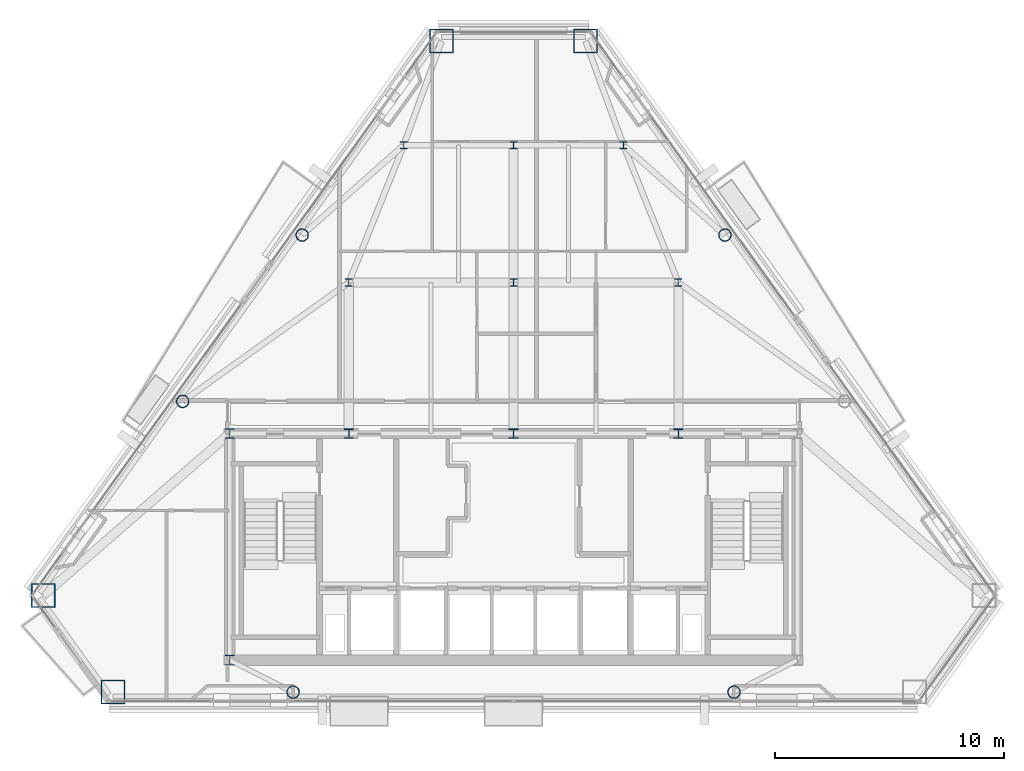
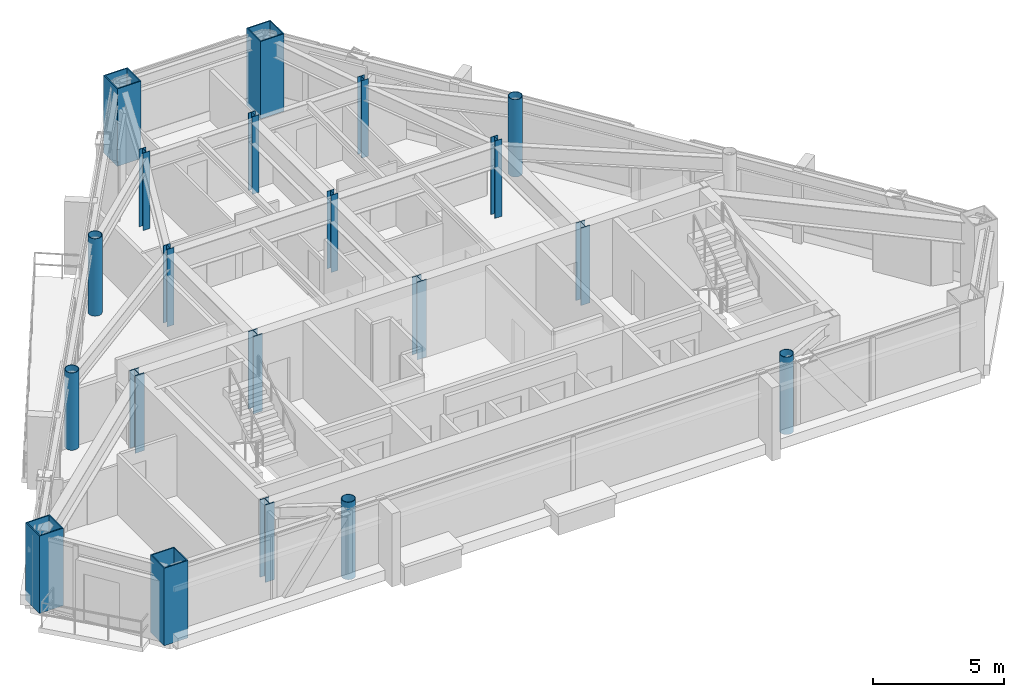
# One storey, part 1 of 11: 20 columns.
"""IFC4 building model written with IfcOpenShell, lengths in metres."""

from ifc_helpers import new_model, si_unit, direction, frame, origin, origin_2d, place, context, subcontext, project, spatial, hollow_rectangle, hollow_circle, i_section, extrude, material, material_profile, profile_set, type_object, element, save


model = new_model("IFC4")

# Units and contexts
model_context = context("Model", 3, precision=1e-05, world=origin(), true_north=direction((0.0, 1.0)))
body_context = subcontext(model_context, "Body", "Model", "MODEL_VIEW")
ifc_project = project(units=[si_unit("LENGTHUNIT", "METRE"), si_unit("AREAUNIT", "SQUARE_METRE"), si_unit("VOLUMEUNIT", "CUBIC_METRE"), si_unit("PLANEANGLEUNIT", "RADIAN"), si_unit("MASSUNIT", "GRAM", prefix="KILO")], contexts=[model_context])

# Site, building, storey
site_placement = place(None, origin())
site = spatial("IfcSite", under=ifc_project, at=site_placement, CompositionType="ELEMENT")
building_placement = place(site_placement, origin())
building = spatial("IfcBuilding", under=site, at=building_placement, Name="Talgorran Terracotta Tower", CompositionType="ELEMENT")
storey_placement = place(building_placement, frame((0.0, 0.0, 210.89990234375)))
storey = spatial("IfcBuildingStorey", under=building, at=storey_placement, Name="L55", CompositionType="ELEMENT", Elevation=210.89990234375)

# Columns
ifc_material_1 = material(Name="Steel S355 (300PLUS)", Category="steel")
ifc_material_profile_1 = material_profile(ifc_material_1, i_section(OverallWidth=0.306884765625, OverallDepth=0.314453125, WebThickness=0.011962890625, FlangeThickness=0.018798828125, at=origin_2d()), Name="310UC118")
ifc_profile_set_1 = profile_set([ifc_material_profile_1], Name="Steel S355 (300PLUS)")
column_type_1 = type_object("IfcColumnType", Name="COL_310UC118", PredefinedType="COLUMN", material=ifc_profile_set_1)
for number, where, z_axis, x_axis, name in (
    (1, (-7.199951171875, 2.39990234375, 0.0), (0.0, 0.0, 1.0), (1.0, 0.0, 0.0), "L55 Interior Gravity Column IC1"),
    (2, (0.0, 2.39990234375, 0.0), (0.0, 0.0, 1.0), (1.0, 0.0, 0.0), "L55 Interior Gravity Column IC2"),
    (3, (7.199951171875, 2.39990234375, 0.0), (0.0, 0.0, 1.0), (1.0, 0.0, 0.0), "L55 Interior Gravity Column IC3"),
    (4, (-4.800048828125, 8.39990234375, 0.0), (0.0, 0.0, 1.0), (1.0, 0.0, 0.0), "L55 Interior Gravity Column IC4"),
    (5, (0.0, 8.39990234375, 0.0), (0.0, 0.0, 1.0), (1.0, 0.0, 0.0), "L55 Interior Gravity Column IC5"),
    (6, (4.800048828125, 8.39990234375, 0.0), (0.0, 0.0, 1.0), (1.0, 0.0, 0.0), "L55 Interior Gravity Column IC6"),
):
    element("IfcColumn", number, at=place(storey_placement, frame(where, z_axis=z_axis, x_axis=x_axis)), inside=storey, type_object=column_type_1, Name=name, PredefinedType="COLUMN", context=body_context, shape_type="SweptSolid", body=[
        extrude(i_section(OverallWidth=0.306884765625, OverallDepth=0.314453125, WebThickness=0.011962890625, FlangeThickness=0.018798828125, at=origin_2d()), origin(), (0.0, 0.0, 1.0), 3.60009765625),
    ])
ifc_material_profile_2 = material_profile(ifc_material_1, i_section(OverallWidth=0.39990234375, OverallDepth=0.43994140625, WebThickness=0.028076171875, FlangeThickness=0.0400390625, at=origin_2d()), Name="400WC328")
ifc_profile_set_2 = profile_set([ifc_material_profile_2], Name="Steel S355 (300PLUS)")
column_type_2 = type_object("IfcColumnType", Name="COL_400WC328", PredefinedType="COLUMN", material=ifc_profile_set_2)
for number, where, z_axis, x_axis, name in (
    (7, (-12.39990234375, -14.10009765625, 0.0), (0.0, 0.0, 1.0), (1.0, 0.0, 0.0), "L55 Core Boundary Column CC1"),
    (8, (-12.39990234375, -4.199951171875, 0.0), (0.0, 0.0, 1.0), (1.0, 0.0, 0.0), "L55 Core Boundary Column CC4"),
):
    element("IfcColumn", number, at=place(storey_placement, frame(where, z_axis=z_axis, x_axis=x_axis)), inside=storey, type_object=column_type_2, Name=name, PredefinedType="COLUMN", context=body_context, shape_type="SweptSolid", body=[
        extrude(i_section(OverallWidth=0.39990234375, OverallDepth=0.43994140625, WebThickness=0.028076171875, FlangeThickness=0.0400390625, at=origin_2d()), origin(), (0.0, 0.0, 1.0), 3.60009765625),
    ])
ifc_material_2 = material(Name="Steel Grade 350 (350L0)", Category="steel")
ifc_material_profile_3 = material_profile(ifc_material_2, hollow_rectangle(XDim=1.050048828125, YDim=1.050048828125, WallThickness=0.044921875, at=origin_2d()), Name="CFT1050X1050X45")
ifc_profile_set_3 = profile_set([ifc_material_profile_3], Name="Steel Grade 350 (350L0)")
column_type_3 = type_object("IfcColumnType", Name="COL_CFT_1050", PredefinedType="COLUMN", material=ifc_profile_set_3)
for number, where, z_axis, x_axis, name in (
    (9, (-20.54833984375, -11.26953125, 0.0), (0.0, 0.0, 1.0), (1.0, 0.0, 0.0), "L55 Corner CFT Mega-Column MC1"),
    (10, (-17.5107421875, -15.49658203125, 0.0), (0.0, 0.0, 1.0), (1.0, 0.0, 0.0), "L55 Corner CFT Mega-Column MC2"),
    (11, (3.14453125, 12.94970703125, 0.0), (0.0, 0.0, 1.0), (1.0, 0.0, 0.0), "L55 Corner CFT Mega-Column MC5"),
    (12, (-3.14453125, 12.94970703125, 0.0), (0.0, 0.0, 1.0), (1.0, 0.0, 0.0), "L55 Corner CFT Mega-Column MC6"),
):
    element("IfcColumn", number, at=place(storey_placement, frame(where, z_axis=z_axis, x_axis=x_axis)), inside=storey, type_object=column_type_3, Name=name, PredefinedType="COLUMN", context=body_context, shape_type="SweptSolid", body=[
        extrude(hollow_rectangle(XDim=1.050048828125, YDim=1.050048828125, WallThickness=0.044921875, at=origin_2d()), origin(), (0.0, 0.0, 1.0), 3.60009765625),
    ])
ifc_material_profile_4 = material_profile(ifc_material_2, hollow_circle(Radius=0.27490234375, WallThickness=0.02392578125, at=origin_2d()), Name="CHS550X24")
ifc_profile_set_4 = profile_set([ifc_material_profile_4], Name="Steel Grade 350 (350L0)")
column_type_4 = type_object("IfcColumnType", Name="COL_CHS_550", PredefinedType="COLUMN", material=ifc_profile_set_4)
for number, where, z_axis, x_axis, name in (
    (13, (-9.630859375, -15.49658203125, 0.0), (0.0, 0.0, 1.0), (1.0, 0.0, 0.0), "L55 Facet Perimeter Column FC1"),
    (14, (9.630859375, -15.49658203125, 0.0), (0.0, 0.0, 1.0), (1.0, 0.0, 0.0), "L55 Facet Perimeter Column FC2"),
    (15, (9.23583984375, 4.472900390625, 0.0), (0.0, 0.0, 1.0), (1.0, 0.0, 0.0), "L55 Facet Perimeter Column FC4"),
    (16, (-9.23583984375, 4.472900390625, 0.0), (0.0, 0.0, 1.0), (1.0, 0.0, 0.0), "L55 Facet Perimeter Column FC5"),
    (17, (-14.45703125, -2.79296875, 0.0), (0.0, 0.0, 1.0), (1.0, 0.0, 0.0), "L55 Facet Perimeter Column FC6"),
):
    element("IfcColumn", number, at=place(storey_placement, frame(where, z_axis=z_axis, x_axis=x_axis)), inside=storey, type_object=column_type_4, Name=name, PredefinedType="COLUMN", context=body_context, shape_type="SweptSolid", body=[
        extrude(hollow_circle(Radius=0.27490234375, WallThickness=0.02392578125, at=origin_2d()), origin(), (0.0, 0.0, 1.0), 3.60009765625),
    ])
ifc_material_profile_5 = material_profile(ifc_material_1, i_section(OverallWidth=0.405029296875, OverallDepth=0.4140625, WebThickness=0.02197265625, FlangeThickness=0.031982421875, at=origin_2d()), Name="400WC270")
ifc_profile_set_5 = profile_set([ifc_material_profile_5], Name="Steel S355 (300PLUS)")
column_type_5 = type_object("IfcColumnType", Name="COL_PIL_400WC270", PredefinedType="PILASTER", material=ifc_profile_set_5)
for number, where, z_axis, x_axis, name in (
    (18, (-7.199951171875, -4.199951171875, 0.0), (0.0, 0.0, 1.0), (1.0, 0.0, 0.0), "L55 Core Shear Pilaster CP1"),
    (19, (0.0, -4.199951171875, 0.0), (0.0, 0.0, 1.0), (1.0, 0.0, 0.0), "L55 Core Shear Pilaster CP2"),
    (20, (7.199951171875, -4.199951171875, 0.0), (0.0, 0.0, 1.0), (1.0, 0.0, 0.0), "L55 Core Shear Pilaster CP3"),
):
    element("IfcColumn", number, at=place(storey_placement, frame(where, z_axis=z_axis, x_axis=x_axis)), inside=storey, type_object=column_type_5, Name=name, PredefinedType="PILASTER", context=body_context, shape_type="SweptSolid", body=[
        extrude(i_section(OverallWidth=0.405029296875, OverallDepth=0.4140625, WebThickness=0.02197265625, FlangeThickness=0.031982421875, at=origin_2d()), origin(), (0.0, 0.0, 1.0), 3.60009765625),
    ])

save(model, "model.ifc")
